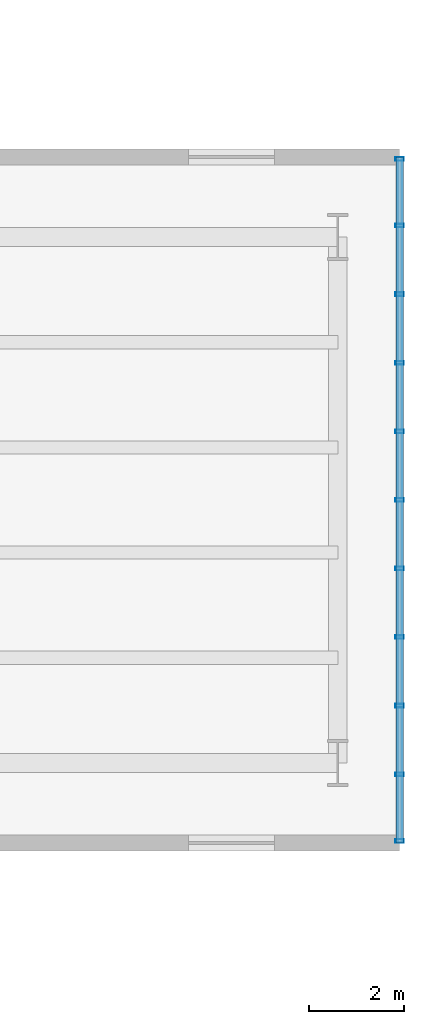
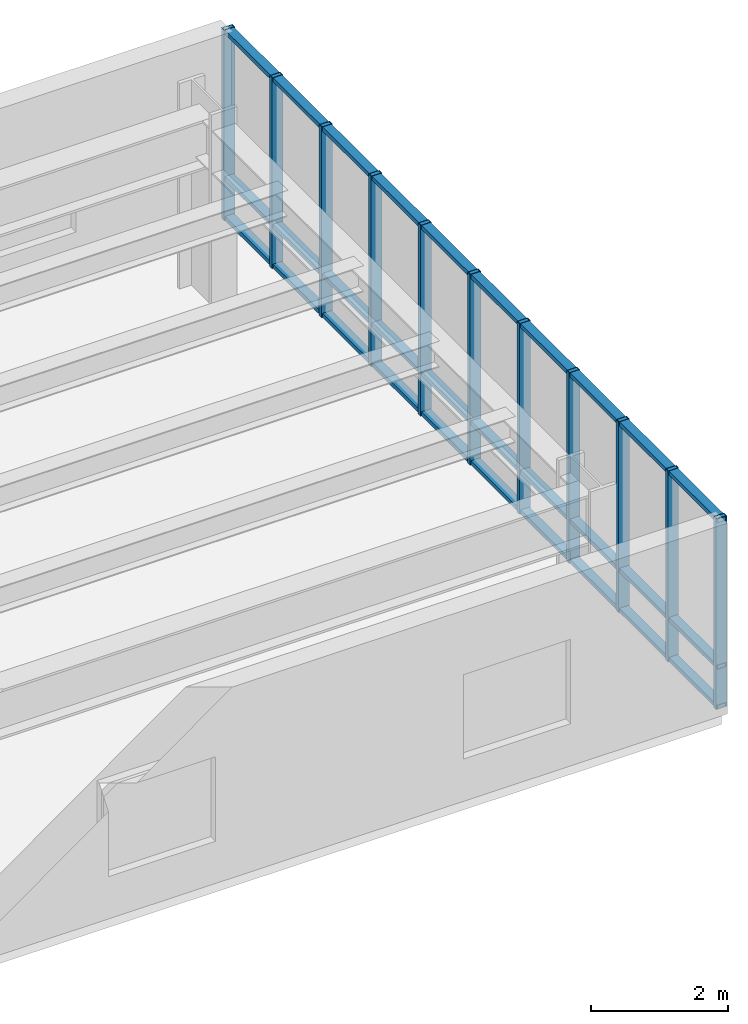
# One storey, part 3 of 10: 14 members, 1 element without a shape of its own.
"""IFC4 building model written with IfcOpenShell, lengths in metres."""

from ifc_helpers import new_model, si_unit, direction, frame, origin, origin_2d, place, context, subcontext, project, spatial, hollow_rectangle, extrude, material, layer, layer_set, material_profile, profile_set, type_object, element, aggregate, save


model = new_model("IFC4")

# Units and contexts
model_context = context("Model", 3, precision=1e-05, world=origin(), true_north=direction((0.0, 1.0)))
body_context = subcontext(model_context, "Body", "Model", "MODEL_VIEW")
ifc_project = project(units=[si_unit("LENGTHUNIT", "METRE"), si_unit("AREAUNIT", "SQUARE_METRE"), si_unit("VOLUMEUNIT", "CUBIC_METRE"), si_unit("PLANEANGLEUNIT", "RADIAN"), si_unit("MASSUNIT", "GRAM", prefix="KILO"), si_unit("THERMODYNAMICTEMPERATUREUNIT", "KELVIN"), si_unit("POWERUNIT", "WATT")], contexts=[model_context])

# Site, building, storey
site_placement = place(None, origin())
site = spatial("IfcSite", under=ifc_project, at=site_placement, CompositionType="ELEMENT")
building_placement = place(site_placement, origin())
building = spatial("IfcBuilding", under=site, at=building_placement, Name="Skarre Station Tower", CompositionType="ELEMENT")
storey_placement = place(building_placement, frame((0.0, 0.0, 59.85009765625)))
storey = spatial("IfcBuildingStorey", under=building, at=storey_placement, Name="L15", CompositionType="ELEMENT", Elevation=59.85009765625)

# Curtain wall, members
ifc_material_1 = material(Name="Thermally Broken Bronze-Anodized Aluminium & Triple Low-E Glass", Category="aluminium")
ifc_layer = layer(ifc_material_1, 0.2099609375, Name="Thermally Broken Bronze-Anodized Aluminium & Triple Low-E Glass")
ifc_layer_set = layer_set([ifc_layer], Name="Thermally Broken Bronze-Anodized Aluminium & Triple Low-E Glass")
curtain_wall_type = type_object("IfcCurtainWallType", Name="Sky-Bar Prow Structural Glazed Curtain Wall", PredefinedType="NOTDEFINED", material=ifc_layer_set)
curtain_wall_placement = place(storey_placement, origin())
curtain_wall = element("IfcCurtainWall", 1, at=curtain_wall_placement, inside=storey, type_object=curtain_wall_type, Name="L15 SB-1 Lakefront Prow Curtain Wall", PredefinedType="NOTDEFINED")
ifc_material_2 = material(Name="Anodized Aluminium 6063-T6", Category="aluminium")
ifc_material_profile_1 = material_profile(ifc_material_2, hollow_rectangle(XDim=0.074951171875, YDim=0.14990234375, WallThickness=0.00390625, at=origin_2d()), Name="Anodized Aluminium 6063-T6")
ifc_profile_set_1 = profile_set([ifc_material_profile_1], Name="Anodized Aluminium 6063-T6")
member_type_1 = type_object("IfcMemberType", Name="Curtain-Wall Secondary Transom 150x75", PredefinedType="USERDEFINED", material=ifc_profile_set_1)
member_1_placement = place(storey_placement, frame((78.863037109375, 31.199951171875, 0.039794921875), z_axis=(0.0, -1.0, 0.0), x_axis=(0.0, 0.0, 1.0)))
member_1 = element("IfcMember", 2, at=member_1_placement, type_object=member_type_1, Name="L15 SB-1 Lakefront Prow Curtain Wall Transom 1", ObjectType="TRANSOM", PredefinedType="USERDEFINED", context=body_context, shape_type="SweptSolid", body=[
    extrude(hollow_rectangle(XDim=0.074951171875, YDim=0.14990234375, WallThickness=0.00390625, at=origin_2d()), origin(), (0.0, 0.0, 1.0), 14.39990234375),
])
member_2_placement = place(storey_placement, frame((78.863037109375, 31.199951171875, 0.75), z_axis=(0.0, -1.0, 0.0), x_axis=(0.0, 0.0, 1.0)))
member_2 = element("IfcMember", 3, at=member_2_placement, type_object=member_type_1, Name="L15 SB-1 Lakefront Prow Curtain Wall Transom 2", ObjectType="TRANSOM", PredefinedType="USERDEFINED", context=body_context, shape_type="SweptSolid", body=[
    extrude(hollow_rectangle(XDim=0.074951171875, YDim=0.14990234375, WallThickness=0.00390625, at=origin_2d()), origin(), (0.0, 0.0, 1.0), 14.39990234375),
])
member_3_placement = place(storey_placement, frame((78.863037109375, 31.199951171875, 3.349853515625), z_axis=(0.0, -1.0, 0.0), x_axis=(0.0, 0.0, 1.0)))
member_3 = element("IfcMember", 4, at=member_3_placement, type_object=member_type_1, Name="L15 SB-1 Lakefront Prow Curtain Wall Transom 3", ObjectType="TRANSOM", PredefinedType="USERDEFINED", context=body_context, shape_type="SweptSolid", body=[
    extrude(hollow_rectangle(XDim=0.074951171875, YDim=0.14990234375, WallThickness=0.00390625, at=origin_2d()), origin(), (0.0, 0.0, 1.0), 14.39990234375),
])
ifc_material_profile_2 = material_profile(ifc_material_2, hollow_rectangle(XDim=0.074951171875, YDim=0.179931640625, WallThickness=0.00390625, at=origin_2d()), Name="Anodized Aluminium 6063-T6")
ifc_profile_set_2 = profile_set([ifc_material_profile_2], Name="Anodized Aluminium 6063-T6")
member_type_2 = type_object("IfcMemberType", Name="Curtain-Wall Unitised Tower Mullion 180x75", PredefinedType="MULLION", material=ifc_profile_set_2)
member_4_placement = place(storey_placement, frame((78.863037109375, 31.159912109375, 0.0), z_axis=(0.0, 0.0, 1.0), x_axis=(0.0, -1.0, 0.0)))
member_4 = element("IfcMember", 5, at=member_4_placement, type_object=member_type_2, Name="L15 SB-1 Lakefront Prow Curtain Wall Mullion 1", PredefinedType="MULLION", context=body_context, shape_type="SweptSolid", body=[
    extrude(hollow_rectangle(XDim=0.074951171875, YDim=0.179931640625, WallThickness=0.00390625, at=origin_2d()), origin(), (0.0, 0.0, 1.0), 3.389892578125),
])
member_5_placement = place(storey_placement, frame((78.863037109375, 29.760009765625, 0.0), z_axis=(0.0, 0.0, 1.0), x_axis=(0.0, -1.0, 0.0)))
member_5 = element("IfcMember", 6, at=member_5_placement, type_object=member_type_2, Name="L15 SB-1 Lakefront Prow Curtain Wall Mullion 2", PredefinedType="MULLION", context=body_context, shape_type="SweptSolid", body=[
    extrude(hollow_rectangle(XDim=0.074951171875, YDim=0.179931640625, WallThickness=0.00390625, at=origin_2d()), origin(), (0.0, 0.0, 1.0), 3.389892578125),
])
member_6_placement = place(storey_placement, frame((78.863037109375, 28.320068359375, 0.0), z_axis=(0.0, 0.0, 1.0), x_axis=(0.0, -1.0, 0.0)))
member_6 = element("IfcMember", 7, at=member_6_placement, type_object=member_type_2, Name="L15 SB-1 Lakefront Prow Curtain Wall Mullion 3", PredefinedType="MULLION", context=body_context, shape_type="SweptSolid", body=[
    extrude(hollow_rectangle(XDim=0.074951171875, YDim=0.179931640625, WallThickness=0.00390625, at=origin_2d()), origin(), (0.0, 0.0, 1.0), 3.389892578125),
])
member_7_placement = place(storey_placement, frame((78.863037109375, 26.8798828125, 0.0), z_axis=(0.0, 0.0, 1.0), x_axis=(0.0, -1.0, 0.0)))
member_7 = element("IfcMember", 8, at=member_7_placement, type_object=member_type_2, Name="L15 SB-1 Lakefront Prow Curtain Wall Mullion 4", PredefinedType="MULLION", context=body_context, shape_type="SweptSolid", body=[
    extrude(hollow_rectangle(XDim=0.074951171875, YDim=0.179931640625, WallThickness=0.00390625, at=origin_2d()), origin(), (0.0, 0.0, 1.0), 3.389892578125),
])
member_8_placement = place(storey_placement, frame((78.863037109375, 25.43994140625, 0.0), z_axis=(0.0, 0.0, 1.0), x_axis=(0.0, -1.0, 0.0)))
member_8 = element("IfcMember", 9, at=member_8_placement, type_object=member_type_2, Name="L15 SB-1 Lakefront Prow Curtain Wall Mullion 5", PredefinedType="MULLION", context=body_context, shape_type="SweptSolid", body=[
    extrude(hollow_rectangle(XDim=0.074951171875, YDim=0.179931640625, WallThickness=0.00390625, at=origin_2d()), origin(), (0.0, 0.0, 1.0), 3.389892578125),
])
member_9_placement = place(storey_placement, frame((78.863037109375, 24.0, 0.0), z_axis=(0.0, 0.0, 1.0), x_axis=(0.0, -1.0, 0.0)))
member_9 = element("IfcMember", 10, at=member_9_placement, type_object=member_type_2, Name="L15 SB-1 Lakefront Prow Curtain Wall Mullion 6", PredefinedType="MULLION", context=body_context, shape_type="SweptSolid", body=[
    extrude(hollow_rectangle(XDim=0.074951171875, YDim=0.179931640625, WallThickness=0.00390625, at=origin_2d()), origin(), (0.0, 0.0, 1.0), 3.389892578125),
])
member_10_placement = place(storey_placement, frame((78.863037109375, 22.56005859375, 0.0), z_axis=(0.0, 0.0, 1.0), x_axis=(0.0, -1.0, 0.0)))
member_10 = element("IfcMember", 11, at=member_10_placement, type_object=member_type_2, Name="L15 SB-1 Lakefront Prow Curtain Wall Mullion 7", PredefinedType="MULLION", context=body_context, shape_type="SweptSolid", body=[
    extrude(hollow_rectangle(XDim=0.074951171875, YDim=0.179931640625, WallThickness=0.00390625, at=origin_2d()), origin(), (0.0, 0.0, 1.0), 3.389892578125),
])
member_11_placement = place(storey_placement, frame((78.863037109375, 21.1201171875, 0.0), z_axis=(0.0, 0.0, 1.0), x_axis=(0.0, -1.0, 0.0)))
member_11 = element("IfcMember", 12, at=member_11_placement, type_object=member_type_2, Name="L15 SB-1 Lakefront Prow Curtain Wall Mullion 8", PredefinedType="MULLION", context=body_context, shape_type="SweptSolid", body=[
    extrude(hollow_rectangle(XDim=0.074951171875, YDim=0.179931640625, WallThickness=0.00390625, at=origin_2d()), origin(), (0.0, 0.0, 1.0), 3.389892578125),
])
member_12_placement = place(storey_placement, frame((78.863037109375, 19.679931640625, 0.0), z_axis=(0.0, 0.0, 1.0), x_axis=(0.0, -1.0, 0.0)))
member_12 = element("IfcMember", 13, at=member_12_placement, type_object=member_type_2, Name="L15 SB-1 Lakefront Prow Curtain Wall Mullion 9", PredefinedType="MULLION", context=body_context, shape_type="SweptSolid", body=[
    extrude(hollow_rectangle(XDim=0.074951171875, YDim=0.179931640625, WallThickness=0.00390625, at=origin_2d()), origin(), (0.0, 0.0, 1.0), 3.389892578125),
])
member_13_placement = place(storey_placement, frame((78.863037109375, 18.239990234375, 0.0), z_axis=(0.0, 0.0, 1.0), x_axis=(0.0, -1.0, 0.0)))
member_13 = element("IfcMember", 14, at=member_13_placement, type_object=member_type_2, Name="L15 SB-1 Lakefront Prow Curtain Wall Mullion 10", PredefinedType="MULLION", context=body_context, shape_type="SweptSolid", body=[
    extrude(hollow_rectangle(XDim=0.074951171875, YDim=0.179931640625, WallThickness=0.00390625, at=origin_2d()), origin(), (0.0, 0.0, 1.0), 3.389892578125),
])
member_14_placement = place(storey_placement, frame((78.863037109375, 16.840087890625, 0.0), z_axis=(0.0, 0.0, 1.0), x_axis=(0.0, -1.0, 0.0)))
member_14 = element("IfcMember", 15, at=member_14_placement, type_object=member_type_2, Name="L15 SB-1 Lakefront Prow Curtain Wall Mullion 11", PredefinedType="MULLION", context=body_context, shape_type="SweptSolid", body=[
    extrude(hollow_rectangle(XDim=0.074951171875, YDim=0.179931640625, WallThickness=0.00390625, at=origin_2d()), origin(), (0.0, 0.0, 1.0), 3.389892578125),
])
aggregate(curtain_wall, [member_4, member_5, member_6, member_7, member_8, member_9, member_10, member_11, member_12, member_13, member_14, member_1, member_2, member_3])

save(model, "model.ifc")
